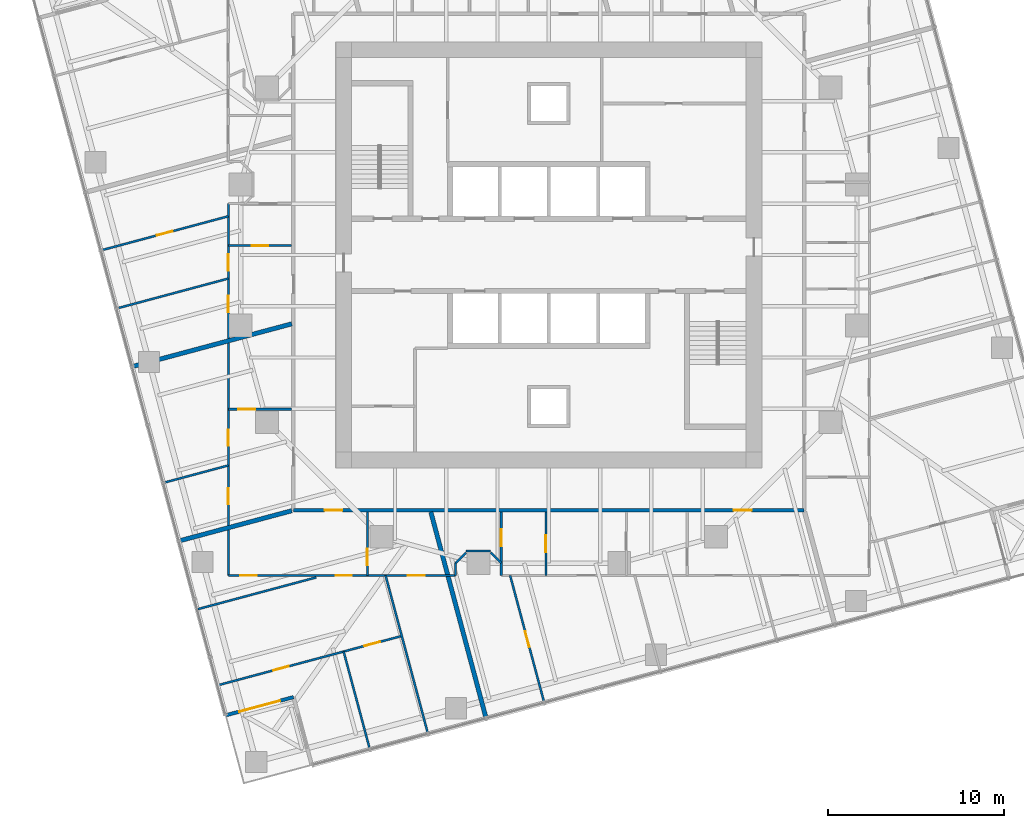
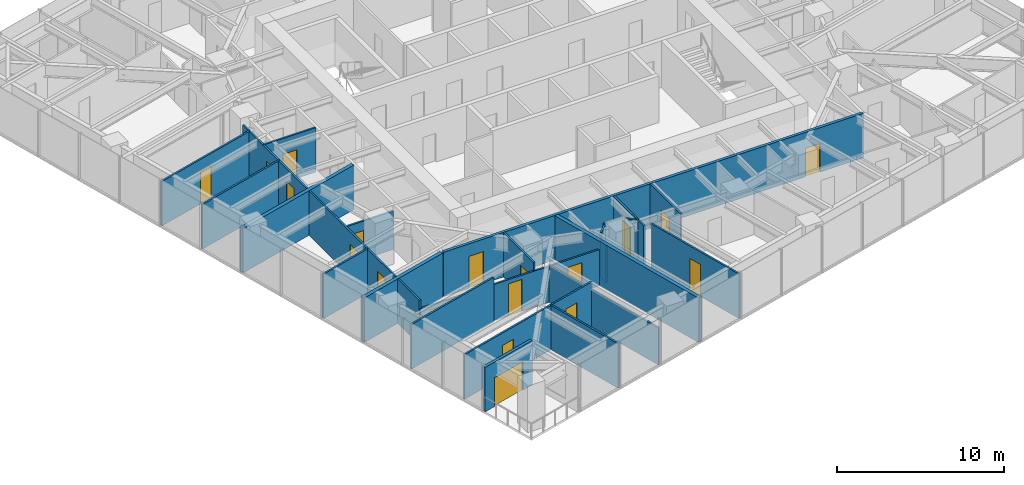
# One storey, part 8 of 15: 24 walls, 19 doors, 19 openings.
"""IFC4 building model written with IfcOpenShell, lengths in metres."""

from ifc_helpers import new_model, si_unit, direction, frame, frame_2d, origin, place, context, subcontext, project, spatial, rectangle, extrude, material, layer, layer_set, type_object, element, fill, save


model = new_model("IFC4")

# Units and contexts
model_context = context("Model", 3, precision=1e-05, world=origin(), true_north=direction((0.0, 1.0)))
body_context = subcontext(model_context, "Body", "Model", "MODEL_VIEW")
ifc_project = project(units=[si_unit("LENGTHUNIT", "METRE"), si_unit("AREAUNIT", "SQUARE_METRE"), si_unit("VOLUMEUNIT", "CUBIC_METRE"), si_unit("PLANEANGLEUNIT", "RADIAN"), si_unit("MASSUNIT", "GRAM", prefix="KILO")], contexts=[model_context])

# Site, building, storey
site_placement = place(None, origin())
site = spatial("IfcSite", under=ifc_project, at=site_placement, CompositionType="ELEMENT")
building_placement = place(site_placement, origin())
building = spatial("IfcBuilding", under=site, at=building_placement, Name="Torsade Residences", CompositionType="ELEMENT")
storey_placement = place(building_placement, frame((0.0, 0.0, 132.0)))
storey = spatial("IfcBuildingStorey", under=building, at=storey_placement, Name="L36", CompositionType="ELEMENT", Elevation=132.0)

# Wall, openings, doors
ifc_material_1 = material(Name="Plasterboard on steel stud", Category="steel")
ifc_layer_1 = layer(ifc_material_1, 0.199951171875)
ifc_layer_set_1 = layer_set([ifc_layer_1], Name="Plasterboard on steel stud")
wall_type_1 = type_object("IfcWallType", Name="CORRIDOR WALL 200", PredefinedType="PARTITIONING", material=ifc_layer_set_1)
wall_1_placement = place(storey_placement, frame((25.5, 15.5, 0.0), z_axis=(0.0, 0.0, 1.0), x_axis=(1.0, 0.0, 0.0)))
wall_1 = element("IfcWall", 1, at=wall_1_placement, inside=storey, type_object=wall_type_1, Name="Corridor wall L36", PredefinedType="PARTITIONING", context=body_context, shape_type="SweptSolid", body=[
    extrude(rectangle(XDim=29.0, YDim=0.199951171875, at=frame_2d((14.5, 0.0))), origin(), (0.0, 0.0, 1.0), 3.25),
])
opening_1_placement = place(wall_1_placement, frame((24.99609375, 0.0, 0.0)))
opening_1 = element("IfcOpeningElement", 2, at=opening_1_placement, cuts=wall_1, Name="Opening D01L", PredefinedType="OPENING", context=body_context, shape_type="SweptSolid", body=[
    extrude(rectangle(XDim=1.02001953125, YDim=2.10009765625, at=frame_2d((0.510009765625, 1.050048828125))), frame((0.0, 0.10986328125, 0.0), z_axis=(0.0, -1.0, 0.0), x_axis=(1.0, 0.0, 0.0)), (0.0, 0.0, 1.0), 0.219970703125),
])
opening_2_placement = place(wall_1_placement, frame((1.76123046875, 0.0, 0.0)))
opening_2 = element("IfcOpeningElement", 3, at=opening_2_placement, cuts=wall_1, Name="Opening D01", PredefinedType="OPENING", context=body_context, shape_type="SweptSolid", body=[
    extrude(rectangle(XDim=1.02001953125, YDim=2.340087890625, at=frame_2d((0.510009765625, 1.169921875))), frame((0.0, 0.10986328125, 0.0), z_axis=(0.0, -1.0, 0.0), x_axis=(1.0, 0.0, 0.0)), (0.0, 0.0, 1.0), 0.219970703125),
])
ifc_material_2 = material(Name="Solid-core timber fire door", Category="wood")
door_type_1 = type_object("IfcDoorType", Name="APARTMENT ENTRY DOOR 1020x2100", OperationType="NOTDEFINED", PredefinedType="DOOR", material=ifc_material_2)
door_1_placement = place(opening_1_placement, origin())
door_1 = element("IfcDoor", 4, at=door_1_placement, inside=storey, type_object=door_type_1, Name="Door Residential corridor to Kitchen and dining", OperationType="SINGLE_SWING_RIGHT", OverallHeight=2.10009765625, OverallWidth=1.02001953125, PredefinedType="DOOR", context=body_context, shape_type="SweptSolid", body=[
    extrude(rectangle(XDim=1.02001953125, YDim=2.10009765625, at=frame_2d((0.510009765625, 1.050048828125))), frame((0.0, 0.02490234375, 0.0), z_axis=(0.0, -1.0, 0.0), x_axis=(1.0, 0.0, 0.0)), (0.0, 0.0, 1.0), 0.050048828125),
])
fill(opening_1, door_1)
ifc_material_3 = material(Name="Solid-core timber fire door", Category="wood")
door_type_2 = type_object("IfcDoorType", Name="APARTMENT ENTRY DOOR 1020x2340", OperationType="NOTDEFINED", PredefinedType="DOOR", material=ifc_material_3)
door_2_placement = place(opening_2_placement, origin())
door_2 = element("IfcDoor", 5, at=door_2_placement, inside=storey, type_object=door_type_2, Name="Door Residential corridor to Kitchen and dining", OperationType="SINGLE_SWING_LEFT", OverallHeight=2.340087890625, OverallWidth=1.02001953125, PredefinedType="DOOR", context=body_context, shape_type="SweptSolid", body=[
    extrude(rectangle(XDim=1.02001953125, YDim=2.340087890625, at=frame_2d((0.510009765625, 1.169921875))), frame((0.0, 0.02490234375, 0.0), z_axis=(0.0, -1.0, 0.0), x_axis=(1.0, 0.0, 0.0)), (0.0, 0.0, 1.0), 0.050048828125),
])
fill(opening_2, door_2)

# Wall, opening, door
ifc_material_4 = material(Name="Plasterboard on steel stud", Category="steel")
ifc_layer_2 = layer(ifc_material_4, 0.1201171875)
ifc_layer_set_2 = layer_set([ifc_layer_2], Name="Plasterboard on steel stud")
wall_type_2 = type_object("IfcWallType", Name="PARTITION 120", PredefinedType="PARTITIONING", material=ifc_layer_set_2)
wall_2_placement = place(storey_placement, frame((21.800048828125, 21.238037109375, 0.0), z_axis=(0.0, 0.0, 1.0), x_axis=(1.0, 0.0, 0.0)))
wall_2 = element("IfcWall", 6, at=wall_2_placement, inside=storey, type_object=wall_type_2, Name="Partition L36", PredefinedType="PARTITIONING", context=body_context, shape_type="SweptSolid", body=[
    extrude(rectangle(XDim=3.599853515625, YDim=0.1201171875, at=frame_2d((1.7998046875, 0.0))), origin(), (0.0, 0.0, 1.0), 2.7958984375),
])
opening_3_placement = place(wall_2_placement, frame((0.570068359375, 0.0, 0.0)))
opening_3 = element("IfcOpeningElement", 7, at=opening_3_placement, cuts=wall_2, Name="Opening D05", PredefinedType="OPENING", context=body_context, shape_type="SweptSolid", body=[
    extrude(rectangle(XDim=0.9599609375, YDim=2.10009765625, at=frame_2d((0.47998046875, 1.050048828125))), frame((0.0, 0.070068359375, 0.0), z_axis=(0.0, -1.0, 0.0), x_axis=(1.0, 0.0, 0.0)), (0.0, 0.0, 1.0), 0.14013671875),
])
ifc_material_5 = material(Name="Hollow-core timber door in a steel cavity frame", Category="steel")
door_type_3 = type_object("IfcDoorType", Name="BATHROOM CAVITY SLIDING DOOR 960", OperationType="SLIDING_TO_LEFT", PredefinedType="DOOR", material=ifc_material_5)
door_3_placement = place(opening_3_placement, origin())
door_3 = element("IfcDoor", 8, at=door_3_placement, inside=storey, type_object=door_type_3, Name="Door Kitchen and dining to Bathroom", OperationType="SLIDING_TO_LEFT", OverallHeight=2.10009765625, OverallWidth=0.9599609375, PredefinedType="DOOR", context=body_context, shape_type="SweptSolid", body=[
    extrude(rectangle(XDim=0.9599609375, YDim=2.10009765625, at=frame_2d((0.47998046875, 1.050048828125))), frame((0.0, 0.02490234375, 0.0), z_axis=(0.0, -1.0, 0.0), x_axis=(1.0, 0.0, 0.0)), (0.0, 0.0, 1.0), 0.050048828125),
])
fill(opening_3, door_3)

# Wall, openings, doors
wall_3_placement = place(storey_placement, frame((21.800048828125, 11.800048828125, 0.0), z_axis=(0.0, 0.0, 1.0), x_axis=(0.0, 1.0, 0.0)))
wall_3 = element("IfcWall", 9, at=wall_3_placement, inside=storey, type_object=wall_type_2, Name="Partition L36", PredefinedType="PARTITIONING", context=body_context, shape_type="SweptSolid", body=[
    extrude(rectangle(XDim=21.115966796875, YDim=0.1201171875, at=frame_2d((10.55810546875, 0.0))), origin(), (0.0, 0.0, 1.0), 3.25),
])
opening_4_placement = place(wall_3_placement, frame((4.046142578125, 0.0, 0.0)))
opening_4 = element("IfcOpeningElement", 10, at=opening_4_placement, cuts=wall_3, Name="Opening D02", PredefinedType="OPENING", context=body_context, shape_type="SweptSolid", body=[
    extrude(rectangle(XDim=0.919921875, YDim=2.340087890625, at=frame_2d((0.4599609375, 1.169921875))), frame((0.0, 0.070068359375, 0.0), z_axis=(0.0, -1.0, 0.0), x_axis=(1.0, 0.0, 0.0)), (0.0, 0.0, 1.0), 0.14013671875),
])
opening_5_placement = place(wall_3_placement, frame((7.357666015625, 0.0, 0.0)))
opening_5 = element("IfcOpeningElement", 11, at=opening_5_placement, cuts=wall_3, Name="Opening D02", PredefinedType="OPENING", context=body_context, shape_type="SweptSolid", body=[
    extrude(rectangle(XDim=0.919921875, YDim=2.340087890625, at=frame_2d((0.4599609375, 1.169921875))), frame((0.0, 0.070068359375, 0.0), z_axis=(0.0, -1.0, 0.0), x_axis=(1.0, 0.0, 0.0)), (0.0, 0.0, 1.0), 0.14013671875),
])
opening_6_placement = place(wall_3_placement, frame((14.957763671875, 0.0, 0.0)))
opening_6 = element("IfcOpeningElement", 12, at=opening_6_placement, cuts=wall_3, Name="Opening D02", PredefinedType="OPENING", context=body_context, shape_type="SweptSolid", body=[
    extrude(rectangle(XDim=0.919921875, YDim=2.340087890625, at=frame_2d((0.4599609375, 1.169921875))), frame((0.0, 0.070068359375, 0.0), z_axis=(0.0, -1.0, 0.0), x_axis=(1.0, 0.0, 0.0)), (0.0, 0.0, 1.0), 0.14013671875),
])
opening_7_placement = place(wall_3_placement, frame((17.310302734375, 0.0, 0.0)))
opening_7 = element("IfcOpeningElement", 13, at=opening_7_placement, cuts=wall_3, Name="Opening D02", PredefinedType="OPENING", context=body_context, shape_type="SweptSolid", body=[
    extrude(rectangle(XDim=0.919921875, YDim=2.340087890625, at=frame_2d((0.4599609375, 1.169921875))), frame((0.0, 0.070068359375, 0.0), z_axis=(0.0, -1.0, 0.0), x_axis=(1.0, 0.0, 0.0)), (0.0, 0.0, 1.0), 0.14013671875),
])
ifc_material_6 = material(Name="Hollow-core timber door", Category="wood")
door_type_4 = type_object("IfcDoorType", Name="INTERNAL DOOR 920x2340", OperationType="NOTDEFINED", PredefinedType="DOOR", material=ifc_material_6)
door_4_placement = place(opening_4_placement, origin())
door_4 = element("IfcDoor", 14, at=door_4_placement, inside=storey, type_object=door_type_4, Name="Door Kitchen and dining to Bedroom 1", OperationType="SINGLE_SWING_RIGHT", OverallHeight=2.340087890625, OverallWidth=0.919921875, PredefinedType="DOOR", context=body_context, shape_type="SweptSolid", body=[
    extrude(rectangle(XDim=0.919921875, YDim=2.340087890625, at=frame_2d((0.4599609375, 1.169921875))), frame((0.0, 0.02490234375, 0.0), z_axis=(0.0, -1.0, 0.0), x_axis=(1.0, 0.0, 0.0)), (0.0, 0.0, 1.0), 0.050048828125),
])
fill(opening_4, door_4)
door_5_placement = place(opening_5_placement, origin())
door_5 = element("IfcDoor", 15, at=door_5_placement, inside=storey, type_object=door_type_4, Name="Door Kitchen and dining to Living room", OperationType="SINGLE_SWING_LEFT", OverallHeight=2.340087890625, OverallWidth=0.919921875, PredefinedType="DOOR", context=body_context, shape_type="SweptSolid", body=[
    extrude(rectangle(XDim=0.919921875, YDim=2.340087890625, at=frame_2d((0.4599609375, 1.169921875))), frame((0.0, 0.02490234375, 0.0), z_axis=(0.0, -1.0, 0.0), x_axis=(1.0, 0.0, 0.0)), (0.0, 0.0, 1.0), 0.050048828125),
])
fill(opening_5, door_5)
door_6_placement = place(opening_6_placement, origin())
door_6 = element("IfcDoor", 16, at=door_6_placement, inside=storey, type_object=door_type_4, Name="Door Kitchen and dining to Bedroom 2", OperationType="SINGLE_SWING_RIGHT", OverallHeight=2.340087890625, OverallWidth=0.919921875, PredefinedType="DOOR", context=body_context, shape_type="SweptSolid", body=[
    extrude(rectangle(XDim=0.919921875, YDim=2.340087890625, at=frame_2d((0.4599609375, 1.169921875))), frame((0.0, 0.02490234375, 0.0), z_axis=(0.0, -1.0, 0.0), x_axis=(1.0, 0.0, 0.0)), (0.0, 0.0, 1.0), 0.050048828125),
])
fill(opening_6, door_6)
door_7_placement = place(opening_7_placement, origin())
door_7 = element("IfcDoor", 17, at=door_7_placement, inside=storey, type_object=door_type_4, Name="Door Kitchen and dining to Bedroom 1", OperationType="SINGLE_SWING_LEFT", OverallHeight=2.340087890625, OverallWidth=0.919921875, PredefinedType="DOOR", context=body_context, shape_type="SweptSolid", body=[
    extrude(rectangle(XDim=0.919921875, YDim=2.340087890625, at=frame_2d((0.4599609375, 1.169921875))), frame((0.0, 0.02490234375, 0.0), z_axis=(0.0, -1.0, 0.0), x_axis=(1.0, 0.0, 0.0)), (0.0, 0.0, 1.0), 0.050048828125),
])
fill(opening_7, door_7)

# Wall
wall_4_placement = place(storey_placement, frame((21.800048828125, 18.048828125, 0.0), z_axis=(0.0, 0.0, 1.0), x_axis=(-0.965936829447, -0.258777977267, 0.0)))
element("IfcWall", 18, at=wall_4_placement, inside=storey, type_object=wall_type_2, Name="Partition L36", PredefinedType="PARTITIONING", context=body_context, shape_type="SweptSolid", body=[
    extrude(rectangle(XDim=3.786865234375, YDim=0.1201171875, at=frame_2d((1.8935546875, 0.0))), origin(), (0.0, 0.0, 1.0), 3.25),
])

# Wall, opening, door
wall_5_placement = place(storey_placement, frame((29.6923828125, 15.39990234375, 0.0), z_axis=(0.0, 0.0, 1.0), x_axis=(0.0, -1.0, 0.0)))
wall_5 = element("IfcWall", 19, at=wall_5_placement, inside=storey, type_object=wall_type_2, Name="Partition L36", PredefinedType="PARTITIONING", context=body_context, shape_type="SweptSolid", body=[
    extrude(rectangle(XDim=3.599853515625, YDim=0.1201171875, at=frame_2d((1.7998046875, 0.0))), origin(), (0.0, 0.0, 1.0), 3.25),
])
opening_8_placement = place(wall_5_placement, frame((2.070068359375, 0.0, 0.0)))
opening_8 = element("IfcOpeningElement", 20, at=opening_8_placement, cuts=wall_5, Name="Opening D05", PredefinedType="OPENING", context=body_context, shape_type="SweptSolid", body=[
    extrude(rectangle(XDim=0.9599609375, YDim=2.10009765625, at=frame_2d((0.47998046875, 1.050048828125))), frame((0.0, 0.070068359375, 0.0), z_axis=(0.0, -1.0, 0.0), x_axis=(1.0, 0.0, 0.0)), (0.0, 0.0, 1.0), 0.14013671875),
])
door_8_placement = place(opening_8_placement, origin())
door_8 = element("IfcDoor", 21, at=door_8_placement, inside=storey, type_object=door_type_3, Name="Door Kitchen and dining to Bathroom", OperationType="SLIDING_TO_LEFT", OverallHeight=2.10009765625, OverallWidth=0.9599609375, PredefinedType="DOOR", context=body_context, shape_type="SweptSolid", body=[
    extrude(rectangle(XDim=0.9599609375, YDim=2.10009765625, at=frame_2d((0.47998046875, 1.050048828125))), frame((0.0, 0.02490234375, 0.0), z_axis=(0.0, -1.0, 0.0), x_axis=(1.0, 0.0, 0.0)), (0.0, 0.0, 1.0), 0.050048828125),
])
fill(opening_8, door_8)

# Wall, openings, doors
wall_6_placement = place(storey_placement, frame((34.699951171875, 11.800048828125, 0.0), z_axis=(0.0, 0.0, 1.0), x_axis=(-1.0, 0.0, 0.0)))
wall_6 = element("IfcWall", 22, at=wall_6_placement, inside=storey, type_object=wall_type_2, Name="Partition L36", PredefinedType="PARTITIONING", context=body_context, shape_type="SweptSolid", body=[
    extrude(rectangle(XDim=12.89990234375, YDim=0.1201171875, at=frame_2d((6.449951171875, 0.0))), origin(), (0.0, 0.0, 1.0), 2.636962890625),
])
opening_9_placement = place(wall_6_placement, frame((11.2939453125, 0.0, 0.0)))
opening_9 = element("IfcOpeningElement", 23, at=opening_9_placement, cuts=wall_6, Name="Opening D02", PredefinedType="OPENING", context=body_context, shape_type="SweptSolid", body=[
    extrude(rectangle(XDim=0.919921875, YDim=2.340087890625, at=frame_2d((0.4599609375, 1.169921875))), frame((0.0, 0.070068359375, 0.0), z_axis=(0.0, -1.0, 0.0), x_axis=(1.0, 0.0, 0.0)), (0.0, 0.0, 1.0), 0.14013671875),
])
opening_10_placement = place(wall_6_placement, frame((5.890869140625, 0.0, 0.0)))
opening_10 = element("IfcOpeningElement", 24, at=opening_10_placement, cuts=wall_6, Name="Opening D02", PredefinedType="OPENING", context=body_context, shape_type="SweptSolid", body=[
    extrude(rectangle(XDim=0.919921875, YDim=2.340087890625, at=frame_2d((0.4599609375, 1.169921875))), frame((0.0, 0.070068359375, 0.0), z_axis=(0.0, -1.0, 0.0), x_axis=(1.0, 0.0, 0.0)), (0.0, 0.0, 1.0), 0.14013671875),
])
opening_11_placement = place(wall_6_placement, frame((1.74951171875, 0.0, 0.0)))
opening_11 = element("IfcOpeningElement", 25, at=opening_11_placement, cuts=wall_6, Name="Opening D05", PredefinedType="OPENING", context=body_context, shape_type="SweptSolid", body=[
    extrude(rectangle(XDim=0.9599609375, YDim=2.10009765625, at=frame_2d((0.47998046875, 1.050048828125))), frame((0.0, 0.070068359375, 0.0), z_axis=(0.0, -1.0, 0.0), x_axis=(1.0, 0.0, 0.0)), (0.0, 0.0, 1.0), 0.14013671875),
])
door_9_placement = place(opening_11_placement, origin())
door_9 = element("IfcDoor", 26, at=door_9_placement, inside=storey, type_object=door_type_3, Name="Door Bathroom to Bedroom 1", OperationType="SLIDING_TO_LEFT", OverallHeight=2.10009765625, OverallWidth=0.9599609375, PredefinedType="DOOR", context=body_context, shape_type="SweptSolid", body=[
    extrude(rectangle(XDim=0.9599609375, YDim=2.10009765625, at=frame_2d((0.47998046875, 1.050048828125))), frame((0.0, 0.02490234375, 0.0), z_axis=(0.0, -1.0, 0.0), x_axis=(1.0, 0.0, 0.0)), (0.0, 0.0, 1.0), 0.050048828125),
])
fill(opening_11, door_9)
door_10_placement = place(opening_9_placement, origin())
door_10 = element("IfcDoor", 27, at=door_10_placement, inside=storey, type_object=door_type_4, Name="Door Kitchen and dining to Study", OperationType="SINGLE_SWING_LEFT", OverallHeight=2.340087890625, OverallWidth=0.919921875, PredefinedType="DOOR", context=body_context, shape_type="SweptSolid", body=[
    extrude(rectangle(XDim=0.919921875, YDim=2.340087890625, at=frame_2d((0.4599609375, 1.169921875))), frame((0.0, 0.02490234375, 0.0), z_axis=(0.0, -1.0, 0.0), x_axis=(1.0, 0.0, 0.0)), (0.0, 0.0, 1.0), 0.050048828125),
])
fill(opening_9, door_10)
door_11_placement = place(opening_10_placement, origin())
door_11 = element("IfcDoor", 28, at=door_11_placement, inside=storey, type_object=door_type_4, Name="Door Kitchen and dining to Living room", OperationType="SINGLE_SWING_RIGHT", OverallHeight=2.340087890625, OverallWidth=0.919921875, PredefinedType="DOOR", context=body_context, shape_type="SweptSolid", body=[
    extrude(rectangle(XDim=0.919921875, YDim=2.340087890625, at=frame_2d((0.4599609375, 1.169921875))), frame((0.0, 0.02490234375, 0.0), z_axis=(0.0, -1.0, 0.0), x_axis=(1.0, 0.0, 0.0)), (0.0, 0.0, 1.0), 0.050048828125),
])
fill(opening_10, door_11)

# Wall
wall_7_placement = place(storey_placement, frame((30.727783203125, 11.800048828125, 0.0), z_axis=(0.0, 0.0, 1.0), x_axis=(0.258818491613, -0.965925974596, 0.0)))
element("IfcWall", 29, at=wall_7_placement, inside=storey, type_object=wall_type_2, Name="Partition L36", PredefinedType="PARTITIONING", context=body_context, shape_type="SweptSolid", body=[
    extrude(rectangle(XDim=9.280029296875, YDim=0.1201171875, at=frame_2d((4.64013671875, 0.0))), origin(), (0.0, 0.0, 1.0), 2.720947265625),
])

# Wall, openings, doors
wall_8_placement = place(storey_placement, frame((31.648193359375, 8.36474609375, 0.0), z_axis=(0.0, 0.0, 1.0), x_axis=(-0.965925636365, -0.258819753906, 0.0)))
wall_8 = element("IfcWall", 30, at=wall_8_placement, inside=storey, type_object=wall_type_2, Name="Partition L36", PredefinedType="PARTITIONING", context=body_context, shape_type="SweptSolid", body=[
    extrude(rectangle(XDim=10.79296875, YDim=0.1201171875, at=frame_2d((5.396484375, 0.0))), origin(), (0.0, 0.0, 1.0), 3.25),
])
opening_12_placement = place(wall_8_placement, frame((6.639892578125, 0.0, 0.0)))
opening_12 = element("IfcOpeningElement", 31, at=opening_12_placement, cuts=wall_8, Name="Opening D02", PredefinedType="OPENING", context=body_context, shape_type="SweptSolid", body=[
    extrude(rectangle(XDim=0.919921875, YDim=2.340087890625, at=frame_2d((0.4599609375, 1.169921875))), frame((0.0, 0.070068359375, 0.0), z_axis=(0.0, -1.0, 0.0), x_axis=(1.0, 0.0, 0.0)), (0.0, 0.0, 1.0), 0.14013671875),
])
opening_13_placement = place(wall_8_placement, frame((1.273193359375, 0.0, 0.0)))
opening_13 = element("IfcOpeningElement", 32, at=opening_13_placement, cuts=wall_8, Name="Opening D02", PredefinedType="OPENING", context=body_context, shape_type="SweptSolid", body=[
    extrude(rectangle(XDim=0.919921875, YDim=2.340087890625, at=frame_2d((0.4599609375, 1.169921875))), frame((0.0, 0.070068359375, 0.0), z_axis=(0.0, -1.0, 0.0), x_axis=(1.0, 0.0, 0.0)), (0.0, 0.0, 1.0), 0.14013671875),
])
door_12_placement = place(opening_12_placement, origin())
door_12 = element("IfcDoor", 33, at=door_12_placement, inside=storey, type_object=door_type_4, Name="Door Living room to Bedroom 2", OperationType="SINGLE_SWING_LEFT", OverallHeight=2.340087890625, OverallWidth=0.919921875, PredefinedType="DOOR", context=body_context, shape_type="SweptSolid", body=[
    extrude(rectangle(XDim=0.919921875, YDim=2.340087890625, at=frame_2d((0.4599609375, 1.169921875))), frame((0.0, 0.02490234375, 0.0), z_axis=(0.0, -1.0, 0.0), x_axis=(1.0, 0.0, 0.0)), (0.0, 0.0, 1.0), 0.050048828125),
])
fill(opening_12, door_12)
door_13_placement = place(opening_13_placement, origin())
door_13 = element("IfcDoor", 34, at=door_13_placement, inside=storey, type_object=door_type_4, Name="Door Living room to Bedroom 3", OperationType="SINGLE_SWING_RIGHT", OverallHeight=2.340087890625, OverallWidth=0.919921875, PredefinedType="DOOR", context=body_context, shape_type="SweptSolid", body=[
    extrude(rectangle(XDim=0.919921875, YDim=2.340087890625, at=frame_2d((0.4599609375, 1.169921875))), frame((0.0, 0.02490234375, 0.0), z_axis=(0.0, -1.0, 0.0), x_axis=(1.0, 0.0, 0.0)), (0.0, 0.0, 1.0), 0.050048828125),
])
fill(opening_13, door_13)

# Walls
wall_9_placement = place(storey_placement, frame((20.06591796875, 9.888671875, 0.0), z_axis=(0.0, 0.0, 1.0), x_axis=(0.965925659778, 0.258819666528, 0.0)))
element("IfcWall", 35, at=wall_9_placement, inside=storey, type_object=wall_type_2, Name="Partition L36", PredefinedType="PARTITIONING", context=body_context, shape_type="SweptSolid", body=[
    extrude(rectangle(XDim=6.95947265625, YDim=0.1201171875, at=frame_2d((3.479736328125, 0.0))), origin(), (0.0, 0.0, 1.0), 3.25),
])
wall_10_placement = place(storey_placement, frame((28.34814453125, 7.48046875, 0.0), z_axis=(0.0, 0.0, 1.0), x_axis=(0.258830607795, -0.965922728001, 0.0)))
element("IfcWall", 36, at=wall_10_placement, inside=storey, type_object=wall_type_2, Name="Partition L36", PredefinedType="PARTITIONING", context=body_context, shape_type="SweptSolid", body=[
    extrude(rectangle(XDim=5.7236328125, YDim=0.1201171875, at=frame_2d((2.86181640625, 0.0))), origin(), (0.0, 0.0, 1.0), 3.25),
])

# Wall, opening, door
wall_11_placement = place(storey_placement, frame((39.835205078125, 11.800048828125, 0.0), z_axis=(0.0, 0.0, 1.0), x_axis=(0.0, 1.0, 0.0)))
wall_11 = element("IfcWall", 37, at=wall_11_placement, inside=storey, type_object=wall_type_2, Name="Partition L36", PredefinedType="PARTITIONING", context=body_context, shape_type="SweptSolid", body=[
    extrude(rectangle(XDim=3.599853515625, YDim=0.1201171875, at=frame_2d((1.7998046875, 0.0))), origin(), (0.0, 0.0, 1.0), 3.25),
])
opening_14_placement = place(wall_11_placement, frame((1.320068359375, 0.0, 0.0)))
opening_14 = element("IfcOpeningElement", 38, at=opening_14_placement, cuts=wall_11, Name="Opening D05", PredefinedType="OPENING", context=body_context, shape_type="SweptSolid", body=[
    extrude(rectangle(XDim=0.9599609375, YDim=2.10009765625, at=frame_2d((0.47998046875, 1.050048828125))), frame((0.0, 0.070068359375, 0.0), z_axis=(0.0, -1.0, 0.0), x_axis=(1.0, 0.0, 0.0)), (0.0, 0.0, 1.0), 0.14013671875),
])
door_14_placement = place(opening_14_placement, origin())
door_14 = element("IfcDoor", 39, at=door_14_placement, inside=storey, type_object=door_type_3, Name="Door Bathroom to Study", OperationType="SLIDING_TO_LEFT", OverallHeight=2.10009765625, OverallWidth=0.9599609375, PredefinedType="DOOR", context=body_context, shape_type="SweptSolid", body=[
    extrude(rectangle(XDim=0.9599609375, YDim=2.10009765625, at=frame_2d((0.47998046875, 1.050048828125))), frame((0.0, 0.02490234375, 0.0), z_axis=(0.0, -1.0, 0.0), x_axis=(1.0, 0.0, 0.0)), (0.0, 0.0, 1.0), 0.050048828125),
])
fill(opening_14, door_14)

wall_12_placement = place(storey_placement, frame((37.30029296875, 15.39990234375, 0.0), z_axis=(0.0, 0.0, 1.0), x_axis=(0.0, -1.0, 0.0)))
wall_12 = element("IfcWall", 40, at=wall_12_placement, inside=storey, type_object=wall_type_2, Name="Partition L36", PredefinedType="PARTITIONING", context=body_context, shape_type="SweptSolid", body=[
    extrude(rectangle(XDim=3.599853515625, YDim=0.1201171875, at=frame_2d((1.7998046875, 0.0))), origin(), (0.0, 0.0, 1.0), 3.25),
])
opening_15_placement = place(wall_12_placement, frame((0.969970703125, 0.0, 0.0)))
opening_15 = element("IfcOpeningElement", 41, at=opening_15_placement, cuts=wall_12, Name="Opening D05", PredefinedType="OPENING", context=body_context, shape_type="SweptSolid", body=[
    extrude(rectangle(XDim=0.9599609375, YDim=2.10009765625, at=frame_2d((0.47998046875, 1.050048828125))), frame((0.0, 0.070068359375, 0.0), z_axis=(0.0, -1.0, 0.0), x_axis=(1.0, 0.0, 0.0)), (0.0, 0.0, 1.0), 0.14013671875),
])
door_15_placement = place(opening_15_placement, origin())
door_15 = element("IfcDoor", 42, at=door_15_placement, inside=storey, type_object=door_type_3, Name="Door Study to Ensuite", OperationType="SLIDING_TO_LEFT", OverallHeight=2.10009765625, OverallWidth=0.9599609375, PredefinedType="DOOR", context=body_context, shape_type="SweptSolid", body=[
    extrude(rectangle(XDim=0.9599609375, YDim=2.10009765625, at=frame_2d((0.47998046875, 1.050048828125))), frame((0.0, 0.02490234375, 0.0), z_axis=(0.0, -1.0, 0.0), x_axis=(1.0, 0.0, 0.0)), (0.0, 0.0, 1.0), 0.050048828125),
])
fill(opening_15, door_15)

# Walls
wall_13_placement = place(storey_placement, frame((37.300048828125, 12.5, 0.0), z_axis=(0.0, 0.0, 1.0), x_axis=(-0.707106781187, 0.707106781187, 0.0)))
element("IfcWall", 43, at=wall_13_placement, inside=storey, type_object=wall_type_2, Name="Partition L36", PredefinedType="PARTITIONING", context=body_context, shape_type="SweptSolid", body=[
    extrude(rectangle(XDim=0.8486328125, YDim=0.1201171875, at=frame_2d((0.42431640625, 0.0))), origin(), (0.0, 0.0, 1.0), 3.25),
])
wall_14_placement = place(storey_placement, frame((36.699951171875, 13.199951171875, 0.0), z_axis=(0.0, 0.0, 1.0), x_axis=(-1.0, 0.0, 0.0)))
element("IfcWall", 44, at=wall_14_placement, inside=storey, type_object=wall_type_2, Name="Partition L36", PredefinedType="PARTITIONING", context=body_context, shape_type="SweptSolid", body=[
    extrude(rectangle(XDim=1.39990234375, YDim=0.1201171875, at=frame_2d((0.699951171875, 0.0))), origin(), (0.0, 0.0, 1.0), 3.25),
])
wall_15_placement = place(storey_placement, frame((35.300048828125, 13.10009765625, 0.0), z_axis=(0.0, 0.0, 1.0), x_axis=(-0.707106781187, -0.707106781187, 0.0)))
element("IfcWall", 45, at=wall_15_placement, inside=storey, type_object=wall_type_2, Name="Partition L36", PredefinedType="PARTITIONING", context=body_context, shape_type="SweptSolid", body=[
    extrude(rectangle(XDim=0.8486328125, YDim=0.1201171875, at=frame_2d((0.42431640625, 0.0))), origin(), (0.0, 0.0, 1.0), 3.25),
])
wall_16_placement = place(storey_placement, frame((34.699951171875, 12.5, 0.0), z_axis=(0.0, 0.0, 1.0), x_axis=(0.0, -1.0, 0.0)))
element("IfcWall", 46, at=wall_16_placement, inside=storey, type_object=wall_type_2, Name="Partition L36", PredefinedType="PARTITIONING", context=body_context, shape_type="SweptSolid", body=[
    extrude(rectangle(XDim=0.699951171875, YDim=0.1201171875, at=frame_2d((0.35009765625, 0.0))), origin(), (0.0, 0.0, 1.0), 2.720947265625),
])

# Wall, opening, door
wall_17_placement = place(storey_placement, frame((39.730224609375, 4.604736328125, 0.0), z_axis=(0.0, 0.0, 1.0), x_axis=(-0.258819087933, 0.965925814813, 0.0)))
wall_17 = element("IfcWall", 47, at=wall_17_placement, inside=storey, type_object=wall_type_2, Name="Partition L36", PredefinedType="PARTITIONING", context=body_context, shape_type="SweptSolid", body=[
    extrude(rectangle(XDim=7.44921875, YDim=0.1201171875, at=frame_2d((3.724609375, 0.0))), origin(), (0.0, 0.0, 1.0), 3.25),
])
opening_16_placement = place(wall_17_placement, frame((3.244384765625, 0.0, 0.0)))
opening_16 = element("IfcOpeningElement", 48, at=opening_16_placement, cuts=wall_17, Name="Opening D02", PredefinedType="OPENING", context=body_context, shape_type="SweptSolid", body=[
    extrude(rectangle(XDim=0.919921875, YDim=2.340087890625, at=frame_2d((0.4599609375, 1.169921875))), frame((0.0, 0.070068359375, 0.0), z_axis=(0.0, -1.0, 0.0), x_axis=(1.0, 0.0, 0.0)), (0.0, 0.0, 1.0), 0.14013671875),
])
door_16_placement = place(opening_16_placement, origin())
door_16 = element("IfcDoor", 49, at=door_16_placement, inside=storey, type_object=door_type_4, Name="Door Living room to Bedroom 2", OperationType="SINGLE_SWING_LEFT", OverallHeight=2.340087890625, OverallWidth=0.919921875, PredefinedType="DOOR", context=body_context, shape_type="SweptSolid", body=[
    extrude(rectangle(XDim=0.919921875, YDim=2.340087890625, at=frame_2d((0.4599609375, 1.169921875))), frame((0.0, 0.02490234375, 0.0), z_axis=(0.0, -1.0, 0.0), x_axis=(1.0, 0.0, 0.0)), (0.0, 0.0, 1.0), 0.050048828125),
])
fill(opening_16, door_16)

wall_18_placement = place(storey_placement, frame((21.800048828125, 30.531494140625, 0.0), z_axis=(0.0, 0.0, 1.0), x_axis=(1.0, 0.0, 0.0)))
wall_18 = element("IfcWall", 50, at=wall_18_placement, inside=storey, type_object=wall_type_2, Name="Partition L36", PredefinedType="PARTITIONING", context=body_context, shape_type="SweptSolid", body=[
    extrude(rectangle(XDim=3.599853515625, YDim=0.1201171875, at=frame_2d((1.7998046875, 0.0))), origin(), (0.0, 0.0, 1.0), 3.25),
])
opening_17_placement = place(wall_18_placement, frame((1.320068359375, 0.0, 0.0)))
opening_17 = element("IfcOpeningElement", 51, at=opening_17_placement, cuts=wall_18, Name="Opening D05", PredefinedType="OPENING", context=body_context, shape_type="SweptSolid", body=[
    extrude(rectangle(XDim=0.9599609375, YDim=2.10009765625, at=frame_2d((0.47998046875, 1.050048828125))), frame((0.0, 0.070068359375, 0.0), z_axis=(0.0, -1.0, 0.0), x_axis=(1.0, 0.0, 0.0)), (0.0, 0.0, 1.0), 0.14013671875),
])
door_17_placement = place(opening_17_placement, origin())
door_17 = element("IfcDoor", 52, at=door_17_placement, inside=storey, type_object=door_type_3, Name="Door Kitchen and dining to Ensuite", OperationType="SLIDING_TO_LEFT", OverallHeight=2.10009765625, OverallWidth=0.9599609375, PredefinedType="DOOR", context=body_context, shape_type="SweptSolid", body=[
    extrude(rectangle(XDim=0.9599609375, YDim=2.10009765625, at=frame_2d((0.47998046875, 1.050048828125))), frame((0.0, 0.02490234375, 0.0), z_axis=(0.0, -1.0, 0.0), x_axis=(1.0, 0.0, 0.0)), (0.0, 0.0, 1.0), 0.050048828125),
])
fill(opening_17, door_17)

wall_19_placement = place(storey_placement, frame((21.800048828125, 32.19775390625, 0.0), z_axis=(0.0, 0.0, 1.0), x_axis=(-0.965923619242, -0.258827281774, 0.0)))
wall_19 = element("IfcWall", 53, at=wall_19_placement, inside=storey, type_object=wall_type_2, Name="Partition L36", PredefinedType="PARTITIONING", context=body_context, shape_type="SweptSolid", body=[
    extrude(rectangle(XDim=7.448974609375, YDim=0.1201171875, at=frame_2d((3.724609375, 0.0))), origin(), (0.0, 0.0, 1.0), 3.25),
])
opening_18_placement = place(wall_19_placement, frame((3.284423828125, 0.0, 0.0)))
opening_18 = element("IfcOpeningElement", 54, at=opening_18_placement, cuts=wall_19, Name="Opening D02", PredefinedType="OPENING", context=body_context, shape_type="SweptSolid", body=[
    extrude(rectangle(XDim=0.919921875, YDim=2.340087890625, at=frame_2d((0.4599609375, 1.169921875))), frame((0.0, 0.070068359375, 0.0), z_axis=(0.0, -1.0, 0.0), x_axis=(1.0, 0.0, 0.0)), (0.0, 0.0, 1.0), 0.14013671875),
])
door_18_placement = place(opening_18_placement, origin())
door_18 = element("IfcDoor", 55, at=door_18_placement, inside=storey, type_object=door_type_4, Name="Door Bedroom 1 to Living room", OperationType="SINGLE_SWING_LEFT", OverallHeight=2.340087890625, OverallWidth=0.919921875, PredefinedType="DOOR", context=body_context, shape_type="SweptSolid", body=[
    extrude(rectangle(XDim=0.919921875, YDim=2.340087890625, at=frame_2d((0.4599609375, 1.169921875))), frame((0.0, 0.02490234375, 0.0), z_axis=(0.0, -1.0, 0.0), x_axis=(1.0, 0.0, 0.0)), (0.0, 0.0, 1.0), 0.050048828125),
])
fill(opening_18, door_18)

# Walls
wall_20_placement = place(storey_placement, frame((21.800048828125, 28.66064453125, 0.0), z_axis=(0.0, 0.0, 1.0), x_axis=(-0.96591852682, -0.258846285554, 0.0)))
element("IfcWall", 56, at=wall_20_placement, inside=storey, type_object=wall_type_2, Name="Partition L36", PredefinedType="PARTITIONING", context=body_context, shape_type="SweptSolid", body=[
    extrude(rectangle(XDim=6.533447265625, YDim=0.1201171875, at=frame_2d((3.2666015625, 0.0))), origin(), (0.0, 0.0, 1.0), 3.25),
])
ifc_material_7 = material(Name="Masonry-lined stud party wall", Category="masonry")
ifc_layer_3 = layer(ifc_material_7, 0.25)
ifc_layer_set_3 = layer_set([ifc_layer_3], Name="Masonry-lined stud party wall")
wall_type_3 = type_object("IfcWallType", Name="PARTY WALL 250", PredefinedType="PARTITIONING", material=ifc_layer_set_3)
wall_21_placement = place(storey_placement, frame((36.4404296875, 3.681884765625, 0.0), z_axis=(0.0, 0.0, 1.0), x_axis=(-0.258824223352, 0.965924438766, 0.0)))
element("IfcWall", 57, at=wall_21_placement, inside=storey, type_object=wall_type_3, Name="Party wall L36", PredefinedType="PARTITIONING", context=body_context, shape_type="SweptSolid", body=[
    extrude(rectangle(XDim=12.137939453125, YDim=0.25, at=frame_2d((6.06884765625, 0.0))), origin(), (0.0, 0.0, 1.0), 3.25),
])
wall_22_placement = place(storey_placement, frame((16.334716796875, 23.658935546875, 0.0), z_axis=(0.0, 0.0, 1.0), x_axis=(0.965927049013, 0.258814481793, 0.0)))
element("IfcWall", 58, at=wall_22_placement, inside=storey, type_object=wall_type_3, Name="Party wall L36", PredefinedType="PARTITIONING", context=body_context, shape_type="SweptSolid", body=[
    extrude(rectangle(XDim=9.3916015625, YDim=0.25, at=frame_2d((4.69580078125, 0.0))), origin(), (0.0, 0.0, 1.0), 3.25),
])
wall_23_placement = place(storey_placement, frame((18.98779296875, 13.75830078125, 0.0), z_axis=(0.0, 0.0, 1.0), x_axis=(0.965929355837, 0.25880587229, 0.0)))
element("IfcWall", 59, at=wall_23_placement, inside=storey, type_object=wall_type_3, Name="Party wall L36", PredefinedType="PARTITIONING", context=body_context, shape_type="SweptSolid", body=[
    extrude(rectangle(XDim=6.644775390625, YDim=0.25, at=frame_2d((3.322265625, 0.0))), origin(), (0.0, 0.0, 1.0), 3.25),
])

# Wall, opening, door
ifc_material_8 = material(Name="Stone-faced precast concrete 40 MPa panel", Category="masonry")
ifc_layer_4 = layer(ifc_material_8, 0.199951171875)
ifc_layer_set_4 = layer_set([ifc_layer_4], Name="Stone-faced precast concrete 40 MPa panel")
wall_type_4 = type_object("IfcWallType", Name="TERRACE WALL 200", PredefinedType="SOLIDWALL", material=ifc_layer_set_4)
wall_24_placement = place(storey_placement, frame((21.640625, 3.857421875, 0.0), z_axis=(0.0, 0.0, 1.0), x_axis=(0.965919172068, 0.258843877716, 0.0)))
wall_24 = element("IfcWall", 60, at=wall_24_placement, inside=storey, type_object=wall_type_4, Name="Terrace wall L36 11", PredefinedType="SOLIDWALL", context=body_context, shape_type="SweptSolid", body=[
    extrude(rectangle(XDim=4.0, YDim=0.199951171875, at=frame_2d((2.0, 0.0))), origin(), (0.0, 0.0, 1.0), 3.25),
])
opening_19_placement = place(wall_24_placement, frame((0.800048828125, 0.0, 0.0)))
opening_19 = element("IfcOpeningElement", 61, at=opening_19_placement, cuts=wall_24, Name="Opening D10A", PredefinedType="OPENING", context=body_context, shape_type="SweptSolid", body=[
    extrude(rectangle(XDim=2.39990234375, YDim=2.10009765625, at=frame_2d((1.199951171875, 1.050048828125))), frame((0.0, 0.10986328125, 0.0), z_axis=(0.0, -1.0, 0.0), x_axis=(1.0, 0.0, 0.0)), (0.0, 0.0, 1.0), 0.219970703125),
])
ifc_material_9 = material(Name="Aluminium-framed glass door", Category="aluminium")
door_type_5 = type_object("IfcDoorType", Name="TERRACE SLIDING DOOR 2400x2100", OperationType="SLIDING_TO_LEFT", PredefinedType="DOOR", material=ifc_material_9)
door_19_placement = place(opening_19_placement, origin())
door_19 = element("IfcDoor", 62, at=door_19_placement, inside=storey, type_object=door_type_5, Name="Terrace door L36 11", OperationType="SLIDING_TO_LEFT", OverallHeight=2.10009765625, OverallWidth=2.39990234375, PredefinedType="DOOR", context=body_context, shape_type="SweptSolid", body=[
    extrude(rectangle(XDim=2.39990234375, YDim=2.10009765625, at=frame_2d((1.199951171875, 1.050048828125))), frame((0.0, 0.02490234375, 0.0), z_axis=(0.0, -1.0, 0.0), x_axis=(1.0, 0.0, 0.0)), (0.0, 0.0, 1.0), 0.050048828125),
])
fill(opening_19, door_19)

save(model, "model.ifc")
